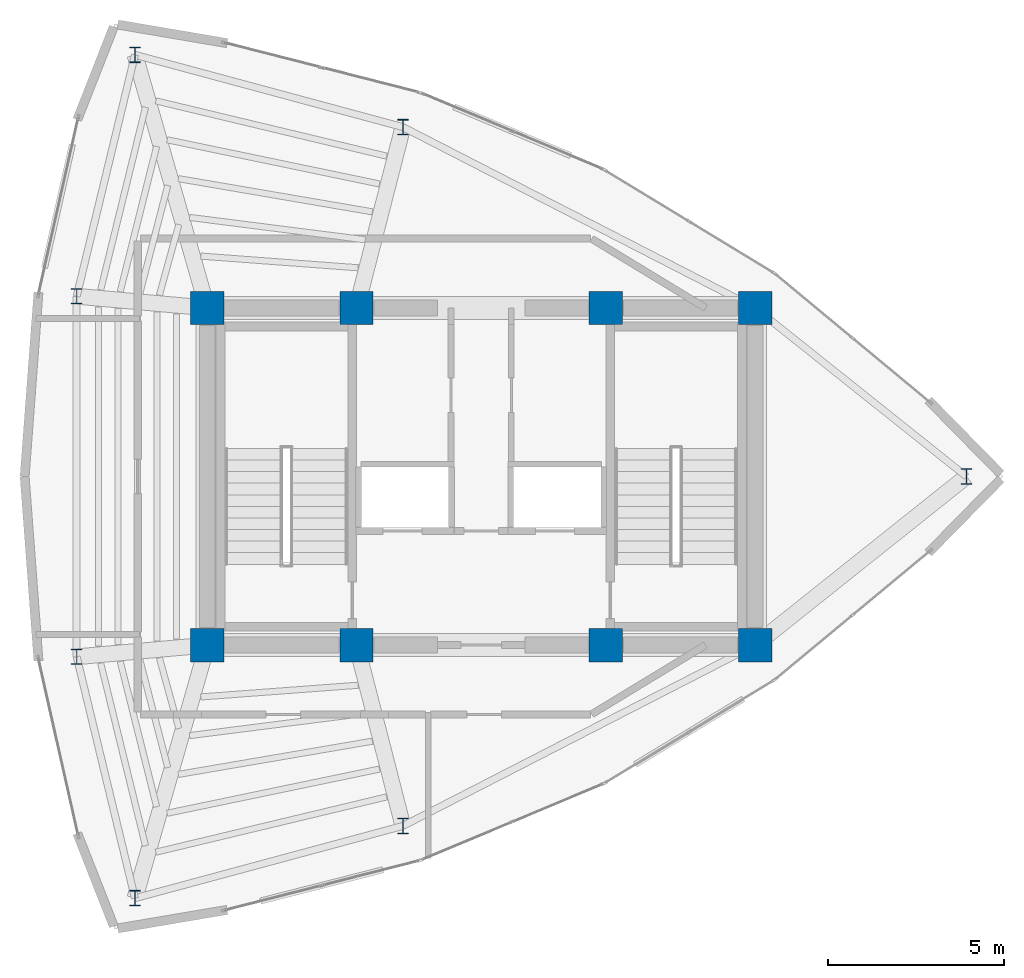
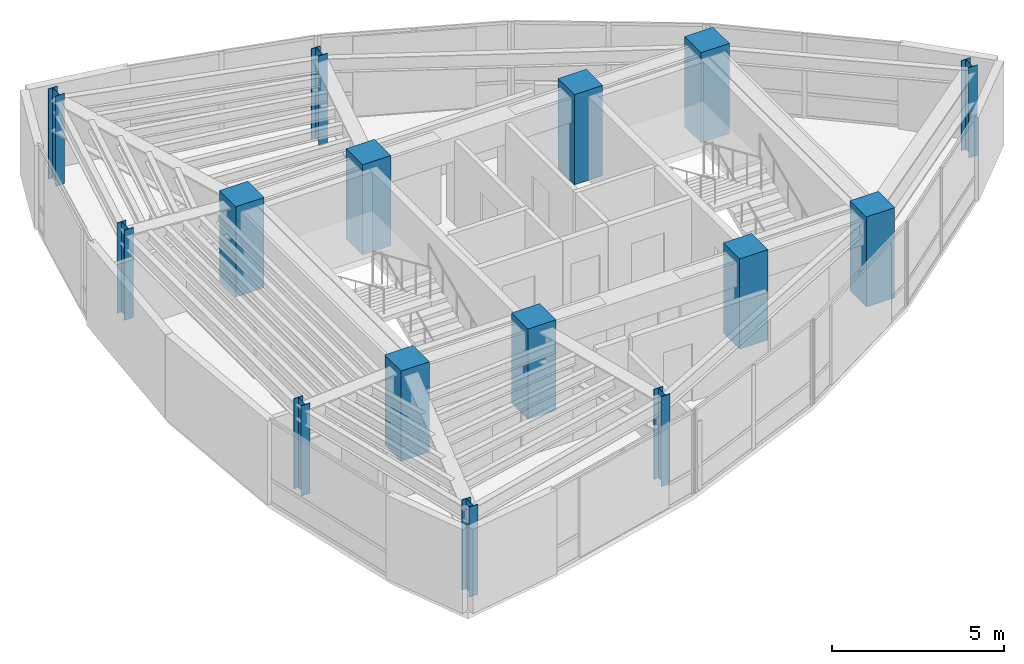
# One storey, part 1 of 14: 15 columns.
"""IFC4 building model written with IfcOpenShell, lengths in metres."""

from ifc_helpers import new_model, si_unit, direction, frame, origin, origin_2d, place, context, subcontext, project, spatial, rectangle, i_section, extrude, material, material_profile, profile_set, type_object, element, save


model = new_model("IFC4")

# Units and contexts
model_context = context("Model", 3, precision=1e-05, world=origin(), true_north=direction((0.0, 1.0)))
body_context = subcontext(model_context, "Body", "Model", "MODEL_VIEW")
ifc_project = project(units=[si_unit("LENGTHUNIT", "METRE"), si_unit("AREAUNIT", "SQUARE_METRE"), si_unit("VOLUMEUNIT", "CUBIC_METRE"), si_unit("PLANEANGLEUNIT", "RADIAN"), si_unit("MASSUNIT", "GRAM", prefix="KILO")], contexts=[model_context])

# Site, building, storey
site_placement = place(None, origin())
site = spatial("IfcSite", under=ifc_project, at=site_placement, CompositionType="ELEMENT")
building_placement = place(site_placement, origin())
building = spatial("IfcBuilding", under=site, at=building_placement, Name="Menara Vayukalpa", CompositionType="ELEMENT")
storey_placement = place(building_placement, frame((0.0, 0.0, 312.02001953125)))
storey = spatial("IfcBuildingStorey", under=building, at=storey_placement, Name="L80", CompositionType="ELEMENT", Elevation=312.02001953125)

# Columns
ifc_material_1 = material(Name="Concrete C60/75", Category="concrete")
ifc_material_profile_1 = material_profile(ifc_material_1, rectangle(XDim=0.949951171875, YDim=0.949951171875, at=origin_2d()), Name="RC 950x950")
ifc_profile_set_1 = profile_set([ifc_material_profile_1], Name="Concrete C60/75")
column_type_1 = type_object("IfcColumnType", Name="COL-CC2", PredefinedType="COLUMN", material=ifc_profile_set_1)
for number, where, z_axis, x_axis, name in (
    (1, (17.800048828125, 17.199951171875, 0.0), (0.0, 0.0, 1.0), (1.0, 0.0, 0.0), "L80 Core Pilaster Column CC1"),
    (2, (22.050048828125, 17.199951171875, 0.0), (0.0, 0.0, 1.0), (1.0, 0.0, 0.0), "L80 Core Pilaster Column CC2"),
    (3, (29.14990234375, 17.199951171875, 0.0), (0.0, 0.0, 1.0), (1.0, 0.0, 0.0), "L80 Core Pilaster Column CC3"),
    (4, (33.39990234375, 17.199951171875, 0.0), (0.0, 0.0, 1.0), (1.0, 0.0, 0.0), "L80 Core Pilaster Column CC4"),
    (5, (17.800048828125, 26.800048828125, 0.0), (0.0, 0.0, 1.0), (1.0, 0.0, 0.0), "L80 Core Pilaster Column CC5"),
    (6, (22.050048828125, 26.800048828125, 0.0), (0.0, 0.0, 1.0), (1.0, 0.0, 0.0), "L80 Core Pilaster Column CC6"),
    (7, (29.14990234375, 26.800048828125, 0.0), (0.0, 0.0, 1.0), (1.0, 0.0, 0.0), "L80 Core Pilaster Column CC7"),
    (8, (33.39990234375, 26.800048828125, 0.0), (0.0, 0.0, 1.0), (1.0, 0.0, 0.0), "L80 Core Pilaster Column CC8"),
):
    element("IfcColumn", number, at=place(storey_placement, frame(where, z_axis=z_axis, x_axis=x_axis)), inside=storey, type_object=column_type_1, Name=name, PredefinedType="COLUMN", context=body_context, shape_type="SweptSolid", body=[
        extrude(rectangle(XDim=0.949951171875, YDim=0.949951171875, at=origin_2d()), origin(), (0.0, 0.0, 1.0), 3.199951171875),
    ])
ifc_material_2 = material(Name="Steel S355", Category="steel")
ifc_material_profile_2 = material_profile(ifc_material_2, i_section(OverallWidth=0.300048828125, OverallDepth=0.43994140625, WebThickness=0.010986328125, FlangeThickness=0.01806640625, at=origin_2d()), Name="H 440x300x11x18")
ifc_profile_set_2 = profile_set([ifc_material_profile_2], Name="Steel S355")
column_type_2 = type_object("IfcColumnType", Name="COL-SC2", PredefinedType="COLUMN", material=ifc_profile_set_2)
for number, where, z_axis, x_axis, name in (
    (9, (39.4189453125, 22.0, 0.0), (0.0, 0.0, 1.0), (1.0, 0.0, 0.0), "L80 Perimeter Mega Column P01"),
    (10, (23.37060546875, 31.949462890625, 0.0), (0.0, 0.0, 1.0), (1.0, 0.0, 0.0), "L80 Perimeter Mega Column P03"),
    (11, (15.740478515625, 34.0078125, 0.0), (0.0, 0.0, 1.0), (1.0, 0.0, 0.0), "L80 Perimeter Mega Column P04"),
    (12, (14.081298828125, 27.1328125, 0.0), (0.0, 0.0, 1.0), (1.0, 0.0, 0.0), "L80 Perimeter Mega Column P05"),
    (13, (14.081298828125, 16.8671875, 0.0), (0.0, 0.0, 1.0), (1.0, 0.0, 0.0), "L80 Perimeter Mega Column P06"),
    (14, (15.740478515625, 9.9921875, 0.0), (0.0, 0.0, 1.0), (1.0, 0.0, 0.0), "L80 Perimeter Mega Column P07"),
    (15, (23.37060546875, 12.050537109375, 0.0), (0.0, 0.0, 1.0), (1.0, 0.0, 0.0), "L80 Perimeter Mega Column P08"),
):
    element("IfcColumn", number, at=place(storey_placement, frame(where, z_axis=z_axis, x_axis=x_axis)), inside=storey, type_object=column_type_2, Name=name, PredefinedType="COLUMN", context=body_context, shape_type="SweptSolid", body=[
        extrude(i_section(OverallWidth=0.300048828125, OverallDepth=0.43994140625, WebThickness=0.010986328125, FlangeThickness=0.01806640625, at=origin_2d()), origin(), (0.0, 0.0, 1.0), 3.199951171875),
    ])

save(model, "model.ifc")
